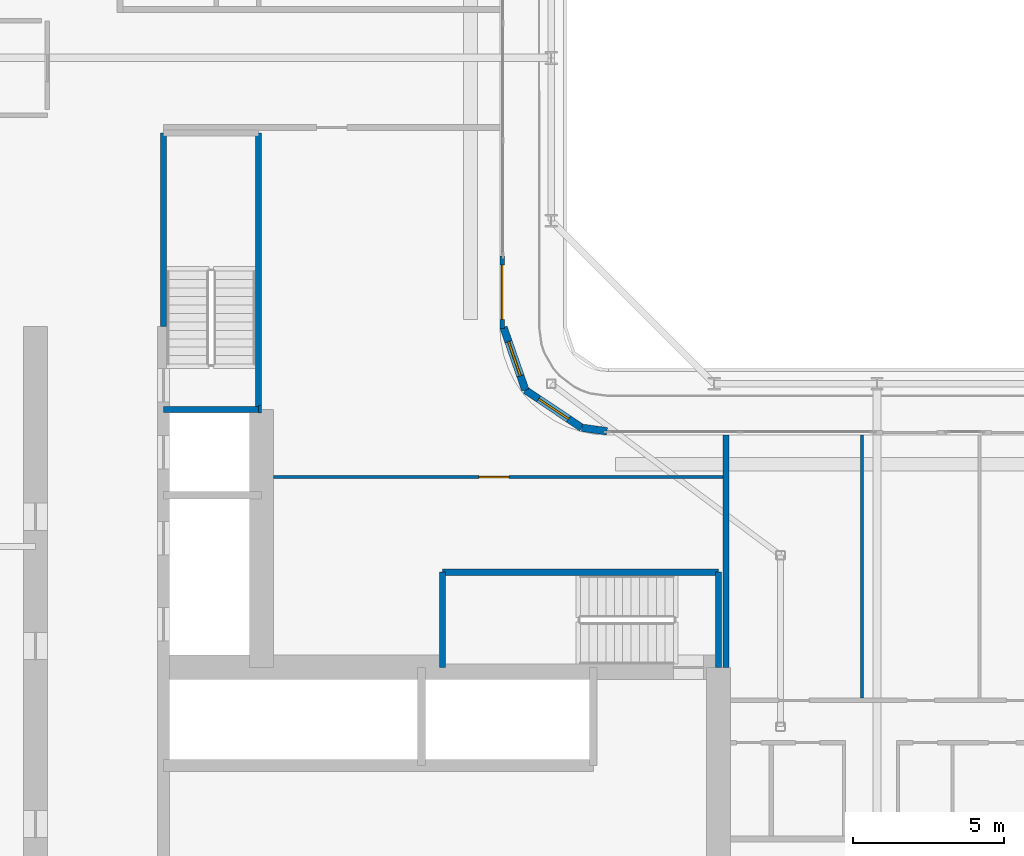
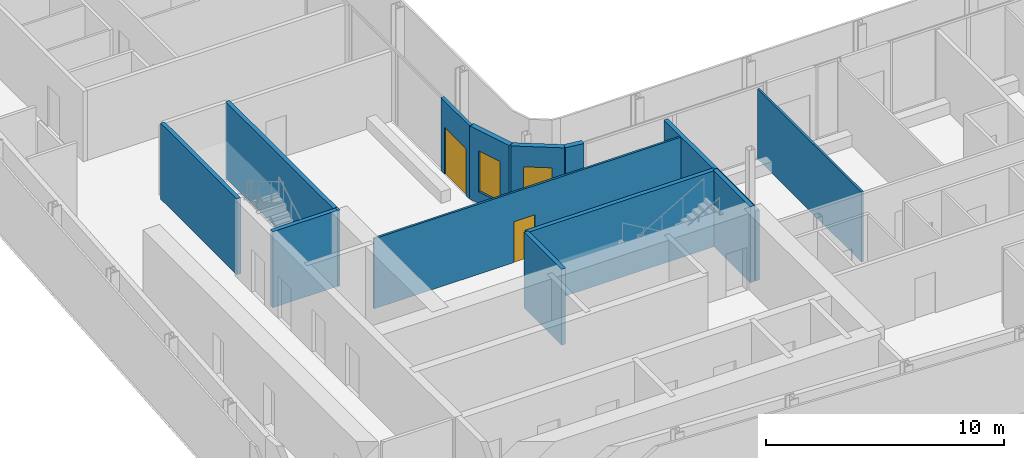
# One storey, part 16 of 30: 14 walls, 2 doors, 2 windows, 4 openings.
"""IFC4 building model written with IfcOpenShell, lengths in metres."""

from ifc_helpers import new_model, si_unit, direction, frame, frame_2d, origin, place, context, subcontext, project, spatial, rectangle, extrude, source, transform, mapped, material, layer, layer_set, type_object, element, fill, save


model = new_model("IFC4")

# Units and contexts
model_context = context("Model", 3, precision=1e-05, world=origin(), true_north=direction((0.0, 1.0)))
body_context = subcontext(model_context, "Body", "Model", "MODEL_VIEW")
ifc_project = project(units=[si_unit("LENGTHUNIT", "METRE"), si_unit("AREAUNIT", "SQUARE_METRE"), si_unit("VOLUMEUNIT", "CUBIC_METRE"), si_unit("PLANEANGLEUNIT", "RADIAN"), si_unit("MASSUNIT", "GRAM", prefix="KILO")], contexts=[model_context])

# Site, building, storey
site_placement = place(None, origin())
site = spatial("IfcSite", under=ifc_project, at=site_placement, CompositionType="ELEMENT")
building_placement = place(site_placement, origin())
building = spatial("IfcBuilding", under=site, at=building_placement, Name="Kheshtan School and Residences Tower", CompositionType="ELEMENT")
storey_placement = place(building_placement, frame((0.0, 0.0, 164.300048828125)))
storey = spatial("IfcBuildingStorey", under=building, at=storey_placement, Name="L38", CompositionType="ELEMENT", Elevation=164.300048828125)

# Wall, opening, window
ifc_material_1 = material(Name="Concrete C40/50 with ceramic cladding and mineral wool insulation", Category="concrete")
ifc_layer_1 = layer(ifc_material_1, 0.25)
ifc_layer_set_1 = layer_set([ifc_layer_1], Name="External wall 250 ceramic clad")
wall_type_1 = type_object("IfcWallType", Name="External wall 250 ceramic clad", PredefinedType="SOLIDWALL", material=ifc_layer_set_1)
wall_1_placement = place(storey_placement, frame((46.01806640625, 47.470947265625, 0.0), z_axis=(0.0, 0.0, 1.0), x_axis=(0.328791208903, -0.944402637093, 0.0)))
wall_1 = element("IfcWall", 1, at=wall_1_placement, inside=storey, type_object=wall_type_1, Name="External wall L38 9", PredefinedType="SOLIDWALL", context=body_context, shape_type="SweptSolid", body=[
    extrude(rectangle(XDim=2.20458984375, YDim=0.25, at=frame_2d((1.102294921875, 0.0))), origin(), (0.0, 0.0, 1.0), 3.75),
])
opening_1_placement = place(wall_1_placement, frame((0.5029296875, 0.0, 0.60009765625)))
opening_1 = element("IfcOpeningElement", 2, at=opening_1_placement, cuts=wall_1, Name="Opening WN-E", PredefinedType="OPENING", context=body_context, shape_type="SweptSolid", body=[
    extrude(rectangle(XDim=1.199951171875, YDim=2.10009765625, at=frame_2d((0.60009765625, 1.050048828125))), frame((0.0, 0.135009765625, 0.0), z_axis=(0.0, -1.0, 0.0), x_axis=(1.0, 0.0, 0.0)), (0.0, 0.0, 1.0), 0.27001953125),
])
ifc_material_2 = material(Name="Clear low-e glass in thermally broken aluminium frame", Category="aluminium")
window_type = type_object("IfcWindowType", Name="Window WN-E", PartitioningType="SINGLE_PANEL", PredefinedType="WINDOW", material=ifc_material_2)
shared_shape_1 = source(origin(), body_context, "Body", "SweptSolid", [
    extrude(rectangle(XDim=1.199951171875, YDim=2.10009765625, at=frame_2d((0.60009765625, 1.050048828125))), frame((0.0, 0.030029296875, 0.0), z_axis=(0.0, -1.0, 0.0), x_axis=(1.0, 0.0, 0.0)), (0.0, 0.0, 1.0), 0.06005859375),
])
window_1_placement = place(opening_1_placement, origin())
window_1 = element("IfcWindow", 3, at=window_1_placement, inside=storey, type_object=window_type, Name="Window L38 9", OverallHeight=2.10009765625, OverallWidth=1.199951171875, PartitioningType="SINGLE_PANEL", PredefinedType="WINDOW", context=body_context, shape_type="MappedRepresentation", body=[
    mapped(shared_shape_1, transform((0.0, 0.0, 0.0), x_axis=(1.0, 0.0, 0.0), y_axis=(0.0, 1.0, 0.0), z_axis=(0.0, 0.0, 1.0), scale=1.0)),
])
fill(opening_1, window_1)

wall_2_placement = place(storey_placement, frame((46.742919921875, 45.388916015625, 0.0), z_axis=(0.0, 0.0, 1.0), x_axis=(0.831449265529, -0.555600682912, 0.0)))
wall_2 = element("IfcWall", 4, at=wall_2_placement, inside=storey, type_object=wall_type_1, Name="External wall L38 10", PredefinedType="SOLIDWALL", context=body_context, shape_type="SweptSolid", body=[
    extrude(rectangle(XDim=2.25146484375, YDim=0.25, at=frame_2d((1.125732421875, 0.0))), origin(), (0.0, 0.0, 1.0), 3.75),
])
opening_2_placement = place(wall_2_placement, frame((0.52490234375, 0.0, 0.60009765625)))
opening_2 = element("IfcOpeningElement", 5, at=opening_2_placement, cuts=wall_2, Name="Opening WN-E", PredefinedType="OPENING", context=body_context, shape_type="SweptSolid", body=[
    extrude(rectangle(XDim=1.199951171875, YDim=2.10009765625, at=frame_2d((0.60009765625, 1.050048828125))), frame((0.0, 0.135009765625, 0.0), z_axis=(0.0, -1.0, 0.0), x_axis=(1.0, 0.0, 0.0)), (0.0, 0.0, 1.0), 0.27001953125),
])
window_2_placement = place(opening_2_placement, origin())
window_2 = element("IfcWindow", 6, at=window_2_placement, inside=storey, type_object=window_type, Name="Window L38 10", OverallHeight=2.10009765625, OverallWidth=1.199951171875, PartitioningType="SINGLE_PANEL", PredefinedType="WINDOW", context=body_context, shape_type="MappedRepresentation", body=[
    mapped(shared_shape_1, transform((0.0, 0.0, 0.0), x_axis=(1.0, 0.0, 0.0), y_axis=(0.0, 1.0, 0.0), z_axis=(0.0, 0.0, 1.0), scale=1.0)),
])
fill(opening_2, window_2)

# Wall
wall_3_placement = place(storey_placement, frame((48.614990234375, 44.137939453125, 0.0), z_axis=(0.0, 0.0, 1.0), x_axis=(0.990741504246, -0.135761819977, 0.0)))
element("IfcWall", 7, at=wall_3_placement, inside=storey, type_object=wall_type_1, Name="External wall L38 11", PredefinedType="SOLIDWALL", context=body_context, shape_type="SweptSolid", body=[
    extrude(rectangle(XDim=0.83984375, YDim=0.25, at=frame_2d((0.419921875, 0.0))), origin(), (0.0, 0.0, 1.0), 3.75),
])

# Wall, opening, door
ifc_material_3 = material(Name="Aluminium frame wall with insulated infill", Category="aluminium")
ifc_layer_2 = layer(ifc_material_3, 0.14990234375)
ifc_layer_set_2 = layer_set([ifc_layer_2], Name="Glazing frame wall 150")
wall_type_2 = type_object("IfcWallType", Name="Glazing frame wall 150", PredefinedType="SOLIDWALL", material=ifc_layer_set_2)
wall_4_placement = place(storey_placement, frame((45.97509765625, 49.830078125, 0.0), z_axis=(0.0, 0.0, 1.0), x_axis=(0.0, -1.0, 0.0)))
wall_4 = element("IfcWall", 8, at=wall_4_placement, inside=storey, type_object=wall_type_2, Name="Balcony door wall L38 8.5", PredefinedType="SOLIDWALL", context=body_context, shape_type="SweptSolid", body=[
    extrude(rectangle(XDim=2.400146484375, YDim=0.14990234375, at=frame_2d((1.2001953125, 0.0))), origin(), (0.0, 0.0, 1.0), 3.75),
])
opening_3_placement = place(wall_4_placement, frame((0.300048828125, 0.0, 0.0)))
opening_3 = element("IfcOpeningElement", 9, at=opening_3_placement, cuts=wall_4, Name="Opening BD", PredefinedType="OPENING", context=body_context, shape_type="SweptSolid", body=[
    extrude(rectangle(XDim=1.800048828125, YDim=2.39990234375, at=frame_2d((0.89990234375, 1.199951171875))), frame((0.0, 0.0849609375, 0.0), z_axis=(0.0, -1.0, 0.0), x_axis=(1.0, 0.0, 0.0)), (0.0, 0.0, 1.0), 0.169921875),
])
door_type_1 = type_object("IfcDoorType", Name="Balcony sliding door", OperationType="SLIDING_TO_LEFT", PredefinedType="DOOR", material=ifc_material_2)
shared_shape_2 = source(origin(), body_context, "Body", "SweptSolid", [
    extrude(rectangle(XDim=1.800048828125, YDim=2.39990234375, at=frame_2d((0.89990234375, 1.199951171875))), frame((0.0, 0.02490234375, 0.0), z_axis=(0.0, -1.0, 0.0), x_axis=(1.0, 0.0, 0.0)), (0.0, 0.0, 1.0), 0.050048828125),
])
door_1_placement = place(opening_3_placement, origin())
door_1 = element("IfcDoor", 10, at=door_1_placement, inside=storey, type_object=door_type_1, Name="Balcony door L38 8.5", OperationType="SLIDING_TO_LEFT", OverallHeight=2.39990234375, OverallWidth=1.800048828125, PredefinedType="DOOR", context=body_context, shape_type="MappedRepresentation", body=[
    mapped(shared_shape_2, transform((0.0, 0.0, 0.0), x_axis=(1.0, 0.0, 0.0), y_axis=(0.0, 1.0, 0.0), z_axis=(0.0, 0.0, 1.0), scale=1.0)),
])
fill(opening_3, door_1)

ifc_material_4 = material(Name="Gypsum board on steel studs", Category="steel")
ifc_layer_3 = layer(ifc_material_4, 0.10009765625)
ifc_layer_set_3 = layer_set([ifc_layer_3], Name="Gypsum partition 100")
wall_type_3 = type_object("IfcWallType", Name="Gypsum partition 100", PredefinedType="PARTITIONING", material=ifc_layer_set_3)
wall_5_placement = place(storey_placement, frame((38.39892578125, 42.5, 0.0), z_axis=(0.0, 0.0, 1.0), x_axis=(1.0, 0.0, 0.0)))
wall_5 = element("IfcWall", 11, at=wall_5_placement, inside=storey, type_object=wall_type_3, Name="Partition L38-035", PredefinedType="PARTITIONING", context=body_context, shape_type="SweptSolid", body=[
    extrude(rectangle(XDim=14.901123046875, YDim=0.10009765625, at=frame_2d((7.45068359375, 0.0))), origin(), (0.0, 0.0, 1.0), 3.599853515625),
])
opening_4_placement = place(wall_5_placement, frame((6.801025390625, 0.0, 0.0)))
opening_4 = element("IfcOpeningElement", 12, at=opening_4_placement, cuts=wall_5, Name="Opening D37-518", PredefinedType="OPENING", context=body_context, shape_type="SweptSolid", body=[
    extrude(rectangle(XDim=1.0, YDim=2.10009765625, at=frame_2d((0.5, 1.050048828125))), frame((0.0, 0.06005859375, 0.0), z_axis=(0.0, -1.0, 0.0), x_axis=(1.0, 0.0, 0.0)), (0.0, 0.0, 1.0), 0.1201171875),
])
ifc_material_5 = material(Name="Veneered timber door leaf", Category="wood")
door_type_2 = type_object("IfcDoorType", Name="Door 1000 x 2100", OperationType="SINGLE_SWING_LEFT", PredefinedType="DOOR", material=ifc_material_5)
shared_shape_3 = source(origin(), body_context, "Body", "SweptSolid", [
    extrude(rectangle(XDim=1.0, YDim=2.10009765625, at=frame_2d((0.5, 1.050048828125))), frame((0.0, 0.02490234375, 0.0), z_axis=(0.0, -1.0, 0.0), x_axis=(1.0, 0.0, 0.0)), (0.0, 0.0, 1.0), 0.050048828125),
])
door_2_placement = place(opening_4_placement, origin())
door_2 = element("IfcDoor", 13, at=door_2_placement, inside=storey, type_object=door_type_2, Name="Door D37-518", OperationType="SINGLE_SWING_LEFT", OverallHeight=2.10009765625, OverallWidth=1.0, PredefinedType="DOOR", context=body_context, shape_type="MappedRepresentation", body=[
    mapped(shared_shape_3, transform((0.0, 0.0, 0.0), x_axis=(1.0, 0.0, 0.0), y_axis=(0.0, 1.0, 0.0), z_axis=(0.0, 0.0, 1.0), scale=1.0)),
])
fill(opening_4, door_2)

# Walls
wall_6_placement = place(storey_placement, frame((57.89990234375, 35.175048828125, 0.0), z_axis=(0.0, 0.0, 1.0), x_axis=(0.0, 1.0, 0.0)))
element("IfcWall", 14, at=wall_6_placement, inside=storey, type_object=wall_type_3, Name="Partition L38-044", PredefinedType="PARTITIONING", context=body_context, shape_type="SweptSolid", body=[
    extrude(rectangle(XDim=8.724853515625, YDim=0.10009765625, at=frame_2d((4.3623046875, 0.0))), origin(), (0.0, 0.0, 1.0), 3.599853515625),
])
ifc_material_6 = material(Name="Fire-board shaft wall system")
ifc_layer_4 = layer(ifc_material_6, 0.25)
ifc_layer_set_4 = layer_set([ifc_layer_4], Name="Shaft lining wall 250")
wall_type_4 = type_object("IfcWallType", Name="Shaft lining wall 250", PredefinedType="PARTITIONING", material=ifc_layer_set_4)
wall_7_placement = place(storey_placement, frame((37.89990234375, 44.75, 0.0), z_axis=(0.0, 0.0, 1.0), x_axis=(1.0, 0.0, 0.0)))
element("IfcWall", 15, at=wall_7_placement, inside=storey, type_object=wall_type_4, Name="Shaft lining wall", PredefinedType="PARTITIONING", context=body_context, shape_type="SweptSolid", body=[
    extrude(rectangle(XDim=0.10009765625, YDim=0.25, at=frame_2d((0.050048828125, 0.0))), origin(), (0.0, 0.0, 1.0), 3.89990234375),
])
ifc_material_7 = material(Name="Concrete C40/50", Category="concrete")
ifc_layer_5 = layer(ifc_material_7, 0.199951171875)
ifc_layer_set_5 = layer_set([ifc_layer_5], Name="Stair enclosure wall 200 Concrete C40/50")
wall_type_5 = type_object("IfcWallType", Name="Stair enclosure wall 200 Concrete C40/50", PredefinedType="SHEAR", material=ifc_layer_set_5)
wall_8_placement = place(storey_placement, frame((43.989990234375, 39.35009765625, 0.0), z_axis=(0.0, 0.0, 1.0), x_axis=(1.0, 0.0, 0.0)))
element("IfcWall", 16, at=wall_8_placement, inside=storey, type_object=wall_type_5, Name="Stair enclosure wall ST1", PredefinedType="SHEAR", context=body_context, shape_type="SweptSolid", body=[
    extrude(rectangle(XDim=9.159912109375, YDim=0.199951171875, at=frame_2d((4.580078125, 0.0))), origin(), (0.0, 0.0, 1.0), 3.89990234375),
])
for number, where, z_axis, x_axis, name in (
    (17, (43.989990234375, 36.199951171875, 0.0), (0.0, 0.0, 1.0), (0.0, 1.0, 0.0), "Stair enclosure wall ST1"),
    (18, (53.14990234375, 36.199951171875, 0.0), (0.0, 0.0, 1.0), (0.0, 1.0, 0.0), "Stair enclosure wall ST1"),
):
    element("IfcWall", number, at=place(storey_placement, frame(where, z_axis=z_axis, x_axis=x_axis)), inside=storey, type_object=wall_type_5, Name=name, PredefinedType="SHEAR", context=body_context, shape_type="SweptSolid", body=[
        extrude(rectangle(XDim=3.150146484375, YDim=0.199951171875, at=frame_2d((1.5751953125, 0.0))), origin(), (0.0, 0.0, 1.0), 3.89990234375),
    ])
wall_9_placement = place(storey_placement, frame((34.75, 44.75, 0.0), z_axis=(0.0, 0.0, 1.0), x_axis=(1.0, 0.0, 0.0)))
element("IfcWall", 19, at=wall_9_placement, inside=storey, type_object=wall_type_5, Name="Stair enclosure wall ST2", PredefinedType="SHEAR", context=body_context, shape_type="SweptSolid", body=[
    extrude(rectangle(XDim=3.14990234375, YDim=0.199951171875, at=frame_2d((1.574951171875, 0.0))), origin(), (0.0, 0.0, 1.0), 3.89990234375),
])
wall_10_placement = place(storey_placement, frame((34.75, 47.5, 0.0), z_axis=(0.0, 0.0, 1.0), x_axis=(0.0, 1.0, 0.0)))
element("IfcWall", 20, at=wall_10_placement, inside=storey, type_object=wall_type_5, Name="Stair enclosure wall ST2", PredefinedType="SHEAR", context=body_context, shape_type="SweptSolid", body=[
    extrude(rectangle(XDim=6.409912109375, YDim=0.199951171875, at=frame_2d((3.205078125, 0.0))), origin(), (0.0, 0.0, 1.0), 3.89990234375),
])
wall_11_placement = place(storey_placement, frame((37.89990234375, 44.75, 0.0), z_axis=(0.0, 0.0, 1.0), x_axis=(0.0, 1.0, 0.0)))
element("IfcWall", 21, at=wall_11_placement, inside=storey, type_object=wall_type_5, Name="Stair enclosure wall ST2", PredefinedType="SHEAR", context=body_context, shape_type="SweptSolid", body=[
    extrude(rectangle(XDim=9.159912109375, YDim=0.199951171875, at=frame_2d((4.580078125, 0.0))), origin(), (0.0, 0.0, 1.0), 3.89990234375),
])
ifc_material_8 = material(Name="Twin gypsum board on steel studs with mineral wool", Category="steel")
ifc_layer_6 = layer(ifc_material_8, 0.199951171875)
ifc_layer_set_6 = layer_set([ifc_layer_6], Name="Unit demising wall 200")
wall_type_6 = type_object("IfcWallType", Name="Unit demising wall 200", PredefinedType="PARTITIONING", material=ifc_layer_set_6)
wall_12_placement = place(storey_placement, frame((53.39990234375, 36.198974609375, 0.0), z_axis=(0.0, 0.0, 1.0), x_axis=(0.0, 1.0, 0.0)))
element("IfcWall", 22, at=wall_12_placement, inside=storey, type_object=wall_type_6, Name="Partition L38-038", PredefinedType="PARTITIONING", context=body_context, shape_type="SweptSolid", body=[
    extrude(rectangle(XDim=7.700927734375, YDim=0.199951171875, at=frame_2d((3.8505859375, 0.0))), origin(), (0.0, 0.0, 1.0), 3.599853515625),
])

save(model, "model.ifc")
